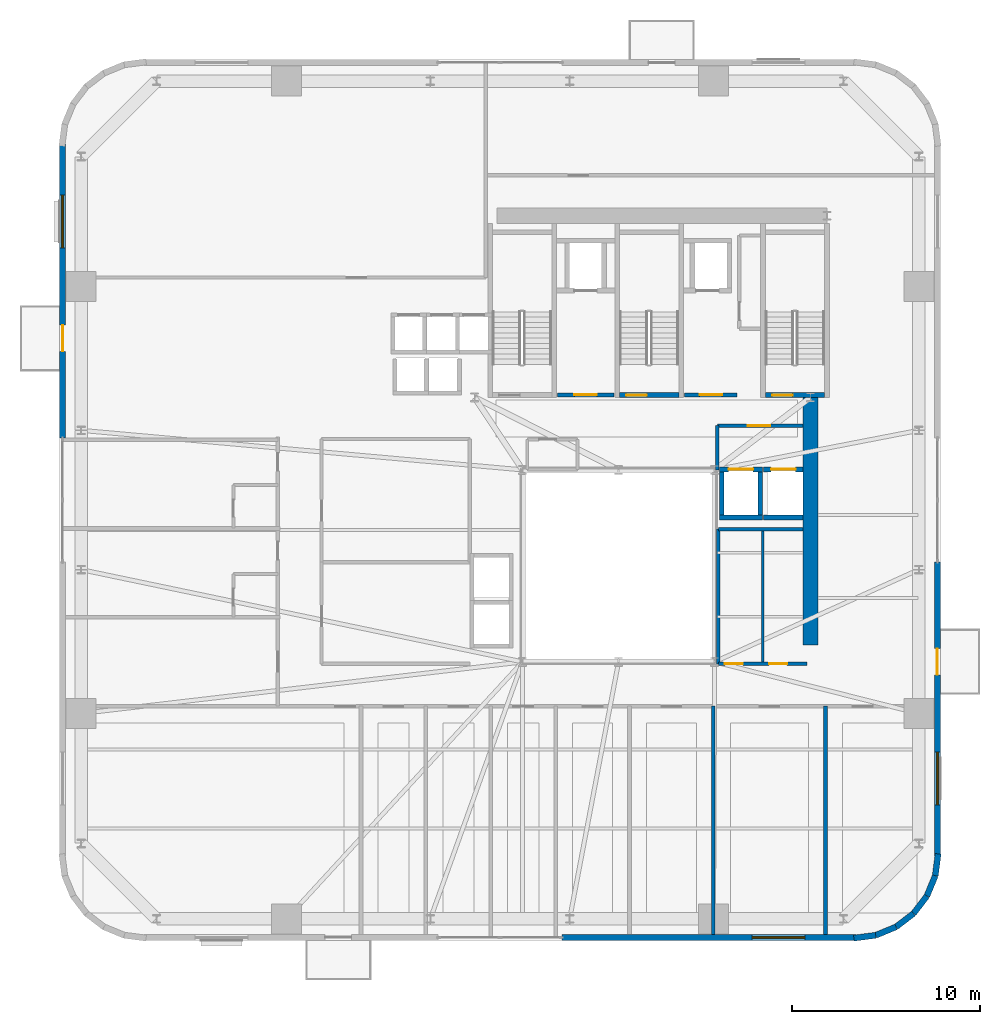
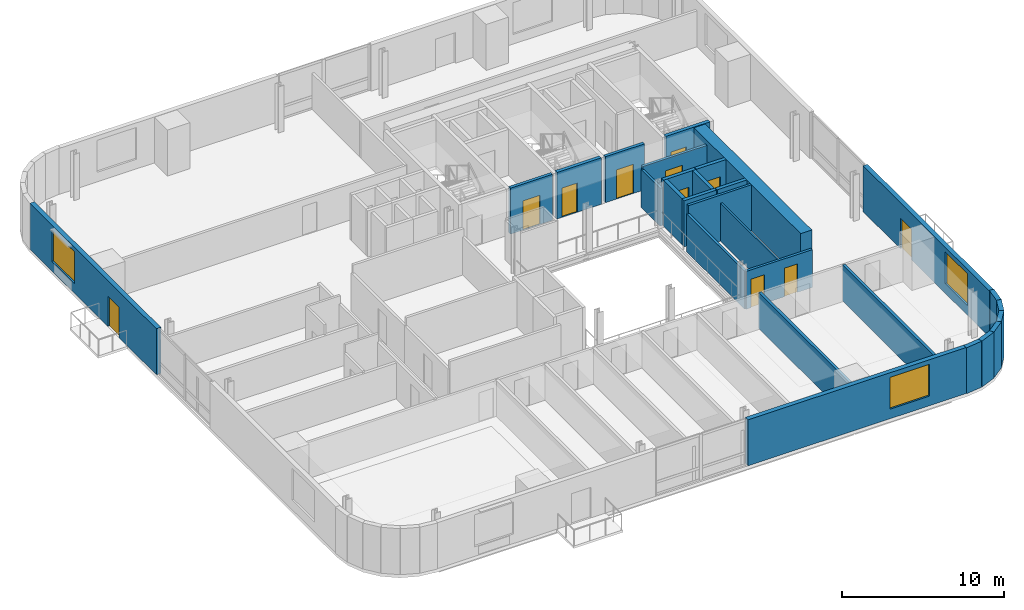
# One storey, part 7 of 14: 28 walls, 11 doors, 3 windows, 14 openings.
"""IFC4 building model written with IfcOpenShell, lengths in metres."""

import ifcopenshell
import ifcopenshell.guid

model = None  # the IFC model being written
_history = None  # IfcOwnerHistory: only IFC2X3 demands one
_inside = {}  # id of a spatial element -> (the spatial element, [elements in it])
_under = {}  # id of a project, library or spatial element -> (it, [spatial elements below it])
_declared = {}  # id of a project -> (the project, [libraries it declares])
_typed = {}  # id of a type object -> (the type object, [elements of that type])
_made_of = {}  # id of a material, layer set ... -> (it, [elements and type objects made of it])


def new_model(schema):
    """Start an empty IFC model of exactly this schema.

    Asked for "IFC4X3", IfcOpenShell would pick the latest addendum, in which some entities
    have other attributes; the version numbers below select the first issue.
    IFC2X3 requires an IfcOwnerHistory on every rooted entity: one is made here for all.
    """
    global model, _history
    if schema == "IFC4X3":
        model = ifcopenshell.file(schema_version=(4, 3, 0, 0))
    else:
        model = ifcopenshell.file(schema=schema)
    _inside.clear()
    _under.clear()
    _declared.clear()
    _typed.clear()
    _made_of.clear()
    _history = None
    if model.schema == "IFC2X3":
        org = make("IfcOrganization", Name="unknown")
        user = make(
            "IfcPersonAndOrganization",
            ThePerson=make("IfcPerson", FamilyName="unknown"),
            TheOrganization=org,
        )
        app = make(
            "IfcApplication",
            ApplicationDeveloper=org,
            Version="unknown",
            ApplicationFullName="unknown",
            ApplicationIdentifier="unknown",
        )
        _history = make(
            "IfcOwnerHistory",
            OwningUser=user,
            OwningApplication=app,
            ChangeAction="ADDED",
            CreationDate=0,
        )
    return model


def make(cls, **values):
    """One entity of the class cls with the attributes given. An attribute that is None is left unset."""
    return model.create_entity(
        cls, **{name: value for name, value in values.items() if value is not None}
    )


def rooted(cls, **values):
    """An entity with a GlobalId (a new one), such as an element, a storey or a relation."""
    return make(cls, GlobalId=ifcopenshell.guid.new(), OwnerHistory=_history, **values)


def si_unit(unit_type, name, prefix=None):
    """IfcSIUnit, for example si_unit("LENGTHUNIT", "METRE", prefix="MILLI")."""
    return make("IfcSIUnit", UnitType=unit_type, Prefix=prefix, Name=name)


def assignment(units):
    """IfcUnitAssignment: the units of a project."""
    return None if units is None else make("IfcUnitAssignment", Units=units)


def point(xyz):
    """IfcCartesianPoint."""
    return None if xyz is None else make("IfcCartesianPoint", Coordinates=xyz)


def direction(xyz):
    """IfcDirection."""
    return None if xyz is None else make("IfcDirection", DirectionRatios=xyz)


def frame(location, z_axis=None, x_axis=None):
    """IfcAxis2Placement3D, a coordinate frame: its origin and axes. An axis left out is left unset."""
    return make(
        "IfcAxis2Placement3D",
        Location=point(location),
        Axis=direction(z_axis),
        RefDirection=direction(x_axis),
    )


def frame_2d(location, x_axis=None):
    """IfcAxis2Placement2D, a coordinate frame in the plane: its origin and x axis."""
    return make(
        "IfcAxis2Placement2D", Location=point(location), RefDirection=direction(x_axis)
    )


def origin():
    """The frame at (0, 0, 0) with its axes left unset."""
    return frame((0.0, 0.0, 0.0))


def place(relative_to, where):
    """IfcLocalPlacement: puts the frame where relative to a parent placement (None: the world)."""
    return make(
        "IfcLocalPlacement", PlacementRelTo=relative_to, RelativePlacement=where
    )


def context(
    kind, dimensions, precision=None, world=None, true_north=None, identifier=None
):
    """IfcGeometricRepresentationContext, for example the 3D "Model" context."""
    return make(
        "IfcGeometricRepresentationContext",
        ContextIdentifier=identifier,
        ContextType=kind,
        CoordinateSpaceDimension=dimensions,
        Precision=precision,
        WorldCoordinateSystem=world,
        TrueNorth=true_north,
    )


def subcontext(parent, identifier, kind, view, scale=None):
    """IfcGeometricRepresentationSubContext, for example "Body" below "Model"."""
    return make(
        "IfcGeometricRepresentationSubContext",
        ContextIdentifier=identifier,
        ContextType=kind,
        ParentContext=parent,
        TargetScale=scale,
        TargetView=view,
    )


def project(units=None, contexts=None):
    """IfcProject with its units and contexts."""
    return rooted(
        "IfcProject",
        Name="project",
        RepresentationContexts=contexts,
        UnitsInContext=assignment(units),
    )


def spatial(cls, under=None, at=None, **own):
    """A site, building, storey or space (cls), placed at a placement, below another one or the project."""
    s = rooted(cls, ObjectPlacement=at, **own)
    if under is not None:
        _under.setdefault(under.id(), (under, []))[1].append(s)
    return s


def profile(cls, at=None, kind="AREA", **sizes):
    """A parametric profile (cls). Its sizes go by their IFC names, for example OverallWidth=200.0."""
    return make(cls, ProfileType=kind, Position=at, **sizes)


def rectangle(**sizes):
    """IfcRectangleProfileDef."""
    return profile("IfcRectangleProfileDef", **sizes)


def extrude(swept, where, along, depth):
    """IfcExtrudedAreaSolid: the profile swept, set in the frame where, extruded along a direction by depth."""
    return make(
        "IfcExtrudedAreaSolid",
        SweptArea=swept,
        Position=where,
        ExtrudedDirection=direction(along),
        Depth=depth,
    )


def shape(context_of_items, identifier, shape_type, items):
    """IfcShapeRepresentation: the items that make up one representation, for example the "Body"."""
    return make(
        "IfcShapeRepresentation",
        ContextOfItems=context_of_items,
        RepresentationIdentifier=identifier,
        RepresentationType=shape_type,
        Items=items,
    )


def source(mapping_origin, context_of_items, identifier, shape_type, items):
    """IfcRepresentationMap: a shape defined once, which mapped items show again and again."""
    return make(
        "IfcRepresentationMap",
        MappingOrigin=mapping_origin,
        MappedRepresentation=shape(context_of_items, identifier, shape_type, items),
    )


def transform(
    local_origin,
    x_axis=None,
    y_axis=None,
    z_axis=None,
    scale=None,
    scale2=None,
    scale3=None,
    uniform=True,
):
    """IfcCartesianTransformationOperator3D, or its non-uniform kind. x_axis, y_axis, z_axis: its Axis1, 2, 3."""
    if uniform:
        return make(
            "IfcCartesianTransformationOperator3D",
            Axis1=direction(x_axis),
            Axis2=direction(y_axis),
            LocalOrigin=point(local_origin),
            Scale=scale,
            Axis3=direction(z_axis),
        )
    return make(
        "IfcCartesianTransformationOperator3DnonUniform",
        Axis1=direction(x_axis),
        Axis2=direction(y_axis),
        LocalOrigin=point(local_origin),
        Scale=scale,
        Axis3=direction(z_axis),
        Scale2=scale2,
        Scale3=scale3,
    )


def mapped(mapping_source, mapping_target):
    """IfcMappedItem: shows the shape of a source again, moved by a transform."""
    return make(
        "IfcMappedItem", MappingSource=mapping_source, MappingTarget=mapping_target
    )


def material(Name=None, Category=None):
    """IfcMaterial."""
    return make("IfcMaterial", Name=Name, Category=Category)


def layer(
    of_material, thickness, ventilated=None, Name=None, Category=None, Priority=None
):
    """IfcMaterialLayer: one layer of a wall or slab, of a material (None: an air gap)."""
    return make(
        "IfcMaterialLayer",
        Material=of_material,
        LayerThickness=thickness,
        IsVentilated=ventilated,
        Name=Name,
        Category=Category,
        Priority=Priority,
    )


def layer_set(layers, Name=None):
    """IfcMaterialLayerSet."""
    return make("IfcMaterialLayerSet", MaterialLayers=layers, LayerSetName=Name)


def made_of(thing, what):
    """Note that an element or type object is made of a material, layer set ...; save() writes the relation."""
    if what is not None:
        _made_of.setdefault(what.id(), (what, []))[1].append(thing)
    return thing


def type_object(cls, material=None, **own):
    """A type object (cls), such as IfcWallType, which elements share."""
    return made_of(rooted(cls, **own), material)


def element(
    cls,
    number,
    at=None,
    inside=None,
    cuts=None,
    type_object=None,
    material=None,
    context=None,
    identifier="Body",
    shape_type=None,
    held_by="IfcProductDefinitionShape",
    body=None,
    shapes=None,
    **own,
):
    """One element of the class cls, such as IfcWall. Its Tag is "e" and its number.

    at: its placement. inside: the storey or other place that contains it. cuts: it is an
    opening in that element (IfcRelVoidsElement). A single representation is given by context,
    identifier, shape_type and body (its items); several are given by shapes. held_by: the class
    of the entity that holds the representations. save() writes the other relations.
    """
    e = rooted(cls, Tag="e%d" % number, ObjectPlacement=at, **own)
    if body is not None:
        shapes = [shape(context, identifier, shape_type, body)]
    if shapes is not None:
        e.Representation = make(held_by, Representations=shapes)
    if inside is not None:
        _inside.setdefault(inside.id(), (inside, []))[1].append(e)
    if cuts is not None:
        rooted(
            "IfcRelVoidsElement", RelatingBuildingElement=cuts, RelatedOpeningElement=e
        )
    if type_object is not None:
        _typed.setdefault(type_object.id(), (type_object, []))[1].append(e)
    return made_of(e, material)


def fill(opening, filler):
    """IfcRelFillsElement: the door or window that sits in an opening."""
    return rooted(
        "IfcRelFillsElement",
        RelatingOpeningElement=opening,
        RelatedBuildingElement=filler,
    )


def aggregate(whole, parts):
    """IfcRelAggregates: a whole, such as a stair, and the parts it consists of."""
    return rooted("IfcRelAggregates", RelatingObject=whole, RelatedObjects=parts)


def save(model, path):
    """Write the relations noted so far, then the file.

    IfcRelAggregates (storeys below a building ...), IfcRelContainedInSpatialStructure (elements
    in a storey), IfcRelDefinesByType, IfcRelAssociatesMaterial and IfcRelDeclares: one each for
    every whole, place, type object, material and project.
    """
    for whole, parts in _under.values():
        aggregate(whole, parts)
    for where, things in _inside.values():
        rooted(
            "IfcRelContainedInSpatialStructure",
            RelatedElements=things,
            RelatingStructure=where,
        )
    for kind, things in _typed.values():
        rooted("IfcRelDefinesByType", RelatedObjects=things, RelatingType=kind)
    for what, things in _made_of.values():
        rooted("IfcRelAssociatesMaterial", RelatedObjects=things, RelatingMaterial=what)
    for by, libraries in _declared.values():
        rooted("IfcRelDeclares", RelatingContext=by, RelatedDefinitions=libraries)
    model.write(path)


model = new_model("IFC4")

# Units and contexts
model_context = context("Model", 3, precision=1e-05, world=origin(), true_north=direction((0.0, 1.0)))
body_context = subcontext(model_context, "Body", "Model", "MODEL_VIEW")
ifc_project = project(units=[si_unit("LENGTHUNIT", "METRE"), si_unit("AREAUNIT", "SQUARE_METRE"), si_unit("VOLUMEUNIT", "CUBIC_METRE"), si_unit("PLANEANGLEUNIT", "RADIAN"), si_unit("MASSUNIT", "GRAM", prefix="KILO")], contexts=[model_context])

# Site, building, storey
site_placement = place(None, origin())
site = spatial("IfcSite", under=ifc_project, at=site_placement, CompositionType="ELEMENT")
building_placement = place(site_placement, origin())
building = spatial("IfcBuilding", under=site, at=building_placement, Name="Vardaveli Station Tower", CompositionType="ELEMENT")
storey_placement = place(building_placement, frame((0.0, 0.0, 133.5)))
storey = spatial("IfcBuildingStorey", under=building, at=storey_placement, Name="L34", CompositionType="ELEMENT", Elevation=133.5)

# Wall
ifc_material_1 = material(Name="Concrete C50/60", Category="concrete")
ifc_layer_1 = layer(ifc_material_1, 0.800048828125, Name="Concrete C50/60")
ifc_layer_set_1 = layer_set([ifc_layer_1], Name="Concrete C50/60")
wall_type_1 = type_object("IfcWallType", Name="WAL-CORE-800", PredefinedType="SHEAR", material=ifc_layer_set_1)
shared_shape_1 = source(origin(), body_context, "Body", "SweptSolid", [
    extrude(rectangle(XDim=13.14990234375, YDim=0.800048828125, at=frame_2d((6.574951171875, 0.0))), origin(), (0.0, 0.0, 1.0), 3.4599609375),
])
wall_1_placement = place(storey_placement, frame((46.5, 17.5, 0.0), z_axis=(0.0, 0.0, 1.0), x_axis=(0.0, 1.0, 0.0)))
element("IfcWall", 1, at=wall_1_placement, inside=storey, type_object=wall_type_1, Name="SW-L34-EAST2", PredefinedType="SHEAR", context=body_context, shape_type="MappedRepresentation", body=[
    mapped(shared_shape_1, transform((0.0, 0.0, 0.0), scale=1.0)),
])

# Wall, opening, window
ifc_material_2 = material(Name="Precast concrete C45/55", Category="concrete")
ifc_layer_2 = layer(ifc_material_2, 0.320068359375, Name="Precast concrete C45/55")
ifc_layer_set_2 = layer_set([ifc_layer_2], Name="Precast concrete C45/55")
wall_type_2 = type_object("IfcWallType", Name="WAL-EXT-STONE-320", PredefinedType="SOLIDWALL", material=ifc_layer_set_2)
shared_shape_2 = source(origin(), body_context, "Body", "SweptSolid", [
    extrude(rectangle(XDim=15.599853515625, YDim=0.320068359375, at=frame_2d((7.7998046875, 0.0))), origin(), (0.0, 0.0, 1.0), 3.4599609375),
])
wall_2_placement = place(storey_placement, frame((33.300048828125, 1.9599609375, 0.0), z_axis=(0.0, 0.0, 1.0), x_axis=(1.0, 0.0, 0.0)))
wall_2 = element("IfcWall", 2, at=wall_2_placement, inside=storey, type_object=wall_type_2, Name="EW-L34-S2", PredefinedType="SOLIDWALL", context=body_context, shape_type="MappedRepresentation", body=[
    mapped(shared_shape_2, transform((0.0, 0.0, 0.0), scale=1.0)),
])
shared_shape_3 = source(origin(), body_context, "Body", "SweptSolid", [
    extrude(rectangle(XDim=2.800048828125, YDim=2.39990234375, at=frame_2d((1.39990234375, 1.199951171875))), frame((0.0, 0.169921875, 0.0), z_axis=(0.0, -1.0, 0.0), x_axis=(1.0, 0.0, 0.0)), (0.0, 0.0, 1.0), 0.340087890625),
])
opening_1_placement = place(wall_2_placement, frame((10.094970703125, 0.0, 0.719970703125)))
opening_1 = element("IfcOpeningElement", 3, at=opening_1_placement, cuts=wall_2, Name="Opening W-04", PredefinedType="OPENING", context=body_context, shape_type="MappedRepresentation", body=[
    mapped(shared_shape_3, transform((0.0, 0.0, 0.0), scale=1.0)),
])
ifc_material_3 = material(Name="Low-E solar-control glass", Category="glass")
window_type = type_object("IfcWindowType", Name="WIN-SUITE-2800x2400", PartitioningType="SINGLE_PANEL", PredefinedType="WINDOW", material=ifc_material_3)
shared_shape_4 = source(origin(), body_context, "Body", "SweptSolid", [
    extrude(rectangle(XDim=2.800048828125, YDim=2.39990234375, at=frame_2d((1.39990234375, 1.199951171875))), frame((0.0, 0.030029296875, 0.0), z_axis=(0.0, -1.0, 0.0), x_axis=(1.0, 0.0, 0.0)), (0.0, 0.0, 1.0), 0.06005859375),
])
window_1_placement = place(opening_1_placement, origin())
window_1 = element("IfcWindow", 4, at=window_1_placement, inside=storey, type_object=window_type, Name="WN-L34-S2", OverallHeight=2.39990234375, OverallWidth=2.800048828125, PartitioningType="SINGLE_PANEL", PredefinedType="WINDOW", context=body_context, shape_type="MappedRepresentation", body=[
    mapped(shared_shape_4, transform((0.0, 0.0, 0.0), scale=1.0)),
])
fill(opening_1, window_1)

# Wall, openings, door, window
wall_3_placement = place(storey_placement, frame((53.239990234375, 6.300048828125, 0.0), z_axis=(0.0, 0.0, 1.0), x_axis=(0.0, 1.0, 0.0)))
wall_3 = element("IfcWall", 5, at=wall_3_placement, inside=storey, type_object=wall_type_2, Name="EW-L34-E1", PredefinedType="SOLIDWALL", context=body_context, shape_type="MappedRepresentation", body=[
    mapped(shared_shape_2, transform((0.0, 0.0, 0.0), scale=1.0)),
])
shared_shape_5 = source(origin(), body_context, "Body", "SweptSolid", [
    extrude(rectangle(XDim=1.39990234375, YDim=2.300048828125, at=frame_2d((0.699951171875, 1.14990234375))), frame((0.0, 0.169921875, 0.0), z_axis=(0.0, -1.0, 0.0), x_axis=(1.0, 0.0, 0.0)), (0.0, 0.0, 1.0), 0.340087890625),
])
opening_2_placement = place(wall_3_placement, frame((9.6103515625, 0.0, 0.0)))
opening_2 = element("IfcOpeningElement", 6, at=opening_2_placement, cuts=wall_3, Name="Opening D-09", PredefinedType="OPENING", context=body_context, shape_type="MappedRepresentation", body=[
    mapped(shared_shape_5, transform((0.0, 0.0, 0.0), scale=1.0)),
])
opening_3_placement = place(wall_3_placement, frame((2.705078125, 0.0, 0.719970703125)))
opening_3 = element("IfcOpeningElement", 7, at=opening_3_placement, cuts=wall_3, Name="Opening W-04", PredefinedType="OPENING", context=body_context, shape_type="MappedRepresentation", body=[
    mapped(shared_shape_3, transform((0.0, 0.0, 0.0), scale=1.0)),
])
ifc_material_4 = material(Name="Thermally broken aluminium glass", Category="aluminium")
door_type_1 = type_object("IfcDoorType", Name="DR-LOG-1400x2300", OperationType="DOUBLE_DOOR_SLIDING", PredefinedType="DOOR", material=ifc_material_4)
shared_shape_6 = source(origin(), body_context, "Body", "SweptSolid", [
    extrude(rectangle(XDim=1.39990234375, YDim=2.300048828125, at=frame_2d((0.699951171875, 1.14990234375))), frame((0.0, 0.02490234375, 0.0), z_axis=(0.0, -1.0, 0.0), x_axis=(1.0, 0.0, 0.0)), (0.0, 0.0, 1.0), 0.050048828125),
])
door_1_placement = place(opening_2_placement, frame((1.39990234375, 0.0, 0.0), z_axis=(0.0, 0.0, 1.0), x_axis=(-1.0, 0.0, 0.0)))
door_1 = element("IfcDoor", 8, at=door_1_placement, inside=storey, type_object=door_type_1, Name="DLG-L34-E", OperationType="DOUBLE_DOOR_SLIDING", OverallHeight=2.300048828125, OverallWidth=1.39990234375, PredefinedType="DOOR", context=body_context, shape_type="MappedRepresentation", body=[
    mapped(shared_shape_6, transform((0.0, 0.0, 0.0), scale=1.0)),
])
fill(opening_2, door_1)
window_2_placement = place(opening_3_placement, origin())
window_2 = element("IfcWindow", 9, at=window_2_placement, inside=storey, type_object=window_type, Name="WN-L34-E1", OverallHeight=2.39990234375, OverallWidth=2.800048828125, PartitioningType="SINGLE_PANEL", PredefinedType="WINDOW", context=body_context, shape_type="MappedRepresentation", body=[
    mapped(shared_shape_4, transform((0.0, 0.0, 0.0), scale=1.0)),
])
fill(opening_3, window_2)

shared_shape_7 = source(origin(), body_context, "Body", "SweptSolid", [
    extrude(rectangle(XDim=15.60009765625, YDim=0.320068359375, at=frame_2d((7.800048828125, 0.0))), origin(), (0.0, 0.0, 1.0), 3.4599609375),
])
wall_4_placement = place(storey_placement, frame((6.760009765625, 44.10009765625, 0.0), z_axis=(0.0, 0.0, 1.0), x_axis=(0.0, -1.0, 0.0)))
wall_4 = element("IfcWall", 10, at=wall_4_placement, inside=storey, type_object=wall_type_2, Name="EW-L34-W1", PredefinedType="SOLIDWALL", context=body_context, shape_type="MappedRepresentation", body=[
    mapped(shared_shape_7, transform((0.0, 0.0, 0.0), scale=1.0)),
])
opening_4_placement = place(wall_4_placement, frame((9.6103515625, 0.0, 0.0)))
opening_4 = element("IfcOpeningElement", 11, at=opening_4_placement, cuts=wall_4, Name="Opening D-09", PredefinedType="OPENING", context=body_context, shape_type="MappedRepresentation", body=[
    mapped(shared_shape_5, transform((0.0, 0.0, 0.0), scale=1.0)),
])
opening_5_placement = place(wall_4_placement, frame((2.705078125, 0.0, 0.719970703125)))
opening_5 = element("IfcOpeningElement", 12, at=opening_5_placement, cuts=wall_4, Name="Opening W-04", PredefinedType="OPENING", context=body_context, shape_type="MappedRepresentation", body=[
    mapped(shared_shape_3, transform((0.0, 0.0, 0.0), scale=1.0)),
])
door_2_placement = place(opening_4_placement, frame((1.39990234375, 0.0, 0.0), z_axis=(0.0, 0.0, 1.0), x_axis=(-1.0, 0.0, 0.0)))
door_2 = element("IfcDoor", 13, at=door_2_placement, inside=storey, type_object=door_type_1, Name="DLG-L34-W", OperationType="DOUBLE_DOOR_SLIDING", OverallHeight=2.300048828125, OverallWidth=1.39990234375, PredefinedType="DOOR", context=body_context, shape_type="MappedRepresentation", body=[
    mapped(shared_shape_6, transform((0.0, 0.0, 0.0), scale=1.0)),
])
fill(opening_4, door_2)
window_3_placement = place(opening_5_placement, origin())
window_3 = element("IfcWindow", 14, at=window_3_placement, inside=storey, type_object=window_type, Name="WN-L34-W1", OverallHeight=2.39990234375, OverallWidth=2.800048828125, PartitioningType="SINGLE_PANEL", PredefinedType="WINDOW", context=body_context, shape_type="MappedRepresentation", body=[
    mapped(shared_shape_4, transform((0.0, 0.0, 0.0), scale=1.0)),
])
fill(opening_5, window_3)

# Walls
shared_shape_8 = source(origin(), body_context, "Body", "SweptSolid", [
    extrude(rectangle(XDim=1.170654296875, YDim=0.320068359375, at=frame_2d((0.58544921875, 0.0))), origin(), (0.0, 0.0, 1.0), 3.4599609375),
])
wall_5_placement = place(storey_placement, frame((53.12548828125, 5.23974609375, 0.0), z_axis=(0.0, 0.0, 1.0), x_axis=(0.128269133229, 0.991739395941, 0.0)))
element("IfcWall", 15, at=wall_5_placement, inside=storey, type_object=wall_type_2, Name="EW-L34-CR2-6", PredefinedType="SOLIDWALL", context=body_context, shape_type="MappedRepresentation", body=[
    mapped(shared_shape_8, transform((0.0, 0.0, 0.0), scale=1.0)),
])
shared_shape_9 = source(origin(), body_context, "Body", "SweptSolid", [
    extrude(rectangle(XDim=1.1689453125, YDim=0.320068359375, at=frame_2d((0.58447265625, 0.0))), origin(), (0.0, 0.0, 1.0), 3.4599609375),
])
for number, where, z_axis, x_axis, name in (
    (16, (51.96875, 3.231201171875, 0.0), (0.0, 0.0, 1.0), (0.608387696831, 0.793639975269, 0.0), "EW-L34-CR2-4"),
    (17, (52.679931640625, 4.158935546875, 0.0), (0.0, 0.0, 1.0), (0.381127904695, 0.924522320046, 0.0), "EW-L34-CR2-5"),
):
    element("IfcWall", number, at=place(storey_placement, frame(where, z_axis=z_axis, x_axis=x_axis)), inside=storey, type_object=wall_type_2, Name=name, PredefinedType="SOLIDWALL", context=body_context, shape_type="MappedRepresentation", body=[
        mapped(shared_shape_9, transform((0.0, 0.0, 0.0), scale=1.0)),
    ])
shared_shape_10 = source(origin(), body_context, "Body", "SweptSolid", [
    extrude(rectangle(XDim=1.168701171875, YDim=0.320068359375, at=frame_2d((0.58447265625, 0.0))), origin(), (0.0, 0.0, 1.0), 3.4599609375),
])
wall_6_placement = place(storey_placement, frame((51.041259765625, 2.520263671875, 0.0), z_axis=(0.0, 0.0, 1.0), x_axis=(0.793663520347, 0.608356981114, 0.0)))
element("IfcWall", 18, at=wall_6_placement, inside=storey, type_object=wall_type_2, Name="EW-L34-CR2-3", PredefinedType="SOLIDWALL", context=body_context, shape_type="MappedRepresentation", body=[
    mapped(shared_shape_10, transform((0.0, 0.0, 0.0), scale=1.0)),
])
shared_shape_11 = source(origin(), body_context, "Body", "SweptSolid", [
    extrude(rectangle(XDim=1.16943359375, YDim=0.320068359375, at=frame_2d((0.584716796875, 0.0))), origin(), (0.0, 0.0, 1.0), 3.4599609375),
])
wall_7_placement = place(storey_placement, frame((49.960205078125, 2.074462890625, 0.0), z_axis=(0.0, 0.0, 1.0), x_axis=(0.924479075121, 0.381232789334, 0.0)))
element("IfcWall", 19, at=wall_7_placement, inside=storey, type_object=wall_type_2, Name="EW-L34-CR2-2", PredefinedType="SOLIDWALL", context=body_context, shape_type="MappedRepresentation", body=[
    mapped(shared_shape_11, transform((0.0, 0.0, 0.0), scale=1.0)),
])
shared_shape_12 = source(origin(), body_context, "Body", "SweptSolid", [
    extrude(rectangle(XDim=1.170166015625, YDim=0.320068359375, at=frame_2d((0.5849609375, 0.0))), origin(), (0.0, 0.0, 1.0), 3.4599609375),
])
wall_8_placement = place(storey_placement, frame((48.799560546875, 1.924560546875, 0.0), z_axis=(0.0, 0.0, 1.0), x_axis=(0.991762485493, 0.128090485085, 0.0)))
element("IfcWall", 20, at=wall_8_placement, inside=storey, type_object=wall_type_2, Name="EW-L34-CR2-1", PredefinedType="SOLIDWALL", context=body_context, shape_type="MappedRepresentation", body=[
    mapped(shared_shape_12, transform((0.0, 0.0, 0.0), scale=1.0)),
])

# Wall, opening, door
ifc_material_5 = material(Name="Concrete C40/50", Category="concrete")
ifc_layer_3 = layer(ifc_material_5, 0.25, Name="Concrete C40/50")
ifc_layer_set_3 = layer_set([ifc_layer_3], Name="Concrete C40/50")
wall_type_3 = type_object("IfcWallType", Name="WAL-SHAFT-250", PredefinedType="SOLIDWALL", material=ifc_layer_set_3)
shared_shape_13 = source(origin(), body_context, "Body", "SweptSolid", [
    extrude(rectangle(XDim=3.14990234375, YDim=0.25, at=frame_2d((1.574951171875, 0.0))), origin(), (0.0, 0.0, 1.0), 3.5),
])
wall_9_placement = place(storey_placement, frame((36.35009765625, 30.77490234375, 0.0), z_axis=(0.0, 0.0, 1.0), x_axis=(1.0, 0.0, 0.0)))
wall_9 = element("IfcWall", 21, at=wall_9_placement, inside=storey, type_object=wall_type_3, Name="W-L34-ST-2S", PredefinedType="SOLIDWALL", context=body_context, shape_type="MappedRepresentation", body=[
    mapped(shared_shape_13, transform((0.0, 0.0, 0.0), scale=1.0)),
])
shared_shape_14 = source(origin(), body_context, "Body", "SweptSolid", [
    extrude(rectangle(XDim=1.10009765625, YDim=2.199951171875, at=frame_2d((0.550048828125, 1.10009765625))), frame((0.0, 0.135009765625, 0.0), z_axis=(0.0, -1.0, 0.0), x_axis=(1.0, 0.0, 0.0)), (0.0, 0.0, 1.0), 0.27001953125),
])
opening_6_placement = place(wall_9_placement, frame((0.35009765625, 0.0, 0.0)))
opening_6 = element("IfcOpeningElement", 22, at=opening_6_placement, cuts=wall_9, Name="Opening D-04", PredefinedType="OPENING", context=body_context, shape_type="MappedRepresentation", body=[
    mapped(shared_shape_14, transform((0.0, 0.0, 0.0), scale=1.0)),
])
ifc_material_6 = material(Name="Steel smokeproof fire doorset", Category="steel")
door_type_2 = type_object("IfcDoorType", Name="DR-ST-1100x2200", OperationType="NOTDEFINED", PredefinedType="DOOR", material=ifc_material_6)
shared_shape_15 = source(origin(), body_context, "Body", "SweptSolid", [
    extrude(rectangle(XDim=1.10009765625, YDim=2.199951171875, at=frame_2d((0.550048828125, 1.10009765625))), frame((0.0, 0.02490234375, 0.0), z_axis=(0.0, -1.0, 0.0), x_axis=(1.0, 0.0, 0.0)), (0.0, 0.0, 1.0), 0.050048828125),
])
door_3_placement = place(opening_6_placement, origin())
door_3 = element("IfcDoor", 23, at=door_3_placement, inside=storey, type_object=door_type_2, Name="DST-2-L34", OperationType="SINGLE_SWING_LEFT", OverallHeight=2.199951171875, OverallWidth=1.10009765625, PredefinedType="DOOR", context=body_context, shape_type="MappedRepresentation", body=[
    mapped(shared_shape_15, transform((0.0, 0.0, 0.0), scale=1.0)),
])
fill(opening_6, door_3)

wall_10_placement = place(storey_placement, frame((44.10009765625, 30.77490234375, 0.0), z_axis=(0.0, 0.0, 1.0), x_axis=(1.0, 0.0, 0.0)))
wall_10 = element("IfcWall", 24, at=wall_10_placement, inside=storey, type_object=wall_type_3, Name="W-L34-ST-3S", PredefinedType="SOLIDWALL", context=body_context, shape_type="MappedRepresentation", body=[
    mapped(shared_shape_13, transform((0.0, 0.0, 0.0), scale=1.0)),
])
opening_7_placement = place(wall_10_placement, frame((0.35009765625, 0.0, 0.0)))
opening_7 = element("IfcOpeningElement", 25, at=opening_7_placement, cuts=wall_10, Name="Opening D-04", PredefinedType="OPENING", context=body_context, shape_type="MappedRepresentation", body=[
    mapped(shared_shape_14, transform((0.0, 0.0, 0.0), scale=1.0)),
])
door_4_placement = place(opening_7_placement, origin())
door_4 = element("IfcDoor", 26, at=door_4_placement, inside=storey, type_object=door_type_2, Name="DST-3-L34", OperationType="SINGLE_SWING_LEFT", OverallHeight=2.199951171875, OverallWidth=1.10009765625, PredefinedType="DOOR", context=body_context, shape_type="MappedRepresentation", body=[
    mapped(shared_shape_15, transform((0.0, 0.0, 0.0), scale=1.0)),
])
fill(opening_7, door_4)

ifc_layer_4 = layer(ifc_material_5, 0.219970703125, Name="Concrete C40/50")
ifc_layer_set_4 = layer_set([ifc_layer_4], Name="Concrete C40/50")
wall_type_4 = type_object("IfcWallType", Name="WAL-FFLOBBY-220", PredefinedType="SOLIDWALL", material=ifc_layer_set_4)
shared_shape_16 = source(origin(), body_context, "Body", "SweptSolid", [
    extrude(rectangle(XDim=3.0, YDim=0.219970703125, at=frame_2d((1.5, 0.0))), origin(), (0.0, 0.0, 1.0), 3.4599609375),
])
wall_11_placement = place(storey_placement, frame((33.050048828125, 30.780029296875, 0.0), z_axis=(0.0, 0.0, 1.0), x_axis=(1.0, 0.0, 0.0)))
wall_11 = element("IfcWall", 27, at=wall_11_placement, inside=storey, type_object=wall_type_4, Name="W-L34-FFL1S", PredefinedType="SOLIDWALL", context=body_context, shape_type="MappedRepresentation", body=[
    mapped(shared_shape_16, transform((0.0, 0.0, 0.0), scale=1.0)),
])
shared_shape_17 = source(origin(), body_context, "Body", "SweptSolid", [
    extrude(rectangle(XDim=1.199951171875, YDim=2.199951171875, at=frame_2d((0.60009765625, 1.10009765625))), frame((0.0, 0.1201171875, 0.0), z_axis=(0.0, -1.0, 0.0), x_axis=(1.0, 0.0, 0.0)), (0.0, 0.0, 1.0), 0.239990234375),
])
opening_8_placement = place(wall_11_placement, frame((0.89990234375, 0.0, 0.0)))
opening_8 = element("IfcOpeningElement", 28, at=opening_8_placement, cuts=wall_11, Name="Opening D-03", PredefinedType="OPENING", context=body_context, shape_type="MappedRepresentation", body=[
    mapped(shared_shape_17, transform((0.0, 0.0, 0.0), scale=1.0)),
])
door_type_3 = type_object("IfcDoorType", Name="DR-FFL-1200x2200", OperationType="NOTDEFINED", PredefinedType="DOOR", material=ifc_material_6)
shared_shape_18 = source(origin(), body_context, "Body", "SweptSolid", [
    extrude(rectangle(XDim=1.199951171875, YDim=2.199951171875, at=frame_2d((0.60009765625, 1.10009765625))), frame((0.0, 0.02490234375, 0.0), z_axis=(0.0, -1.0, 0.0), x_axis=(1.0, 0.0, 0.0)), (0.0, 0.0, 1.0), 0.050048828125),
])
door_5_placement = place(opening_8_placement, origin())
door_5 = element("IfcDoor", 29, at=door_5_placement, inside=storey, type_object=door_type_3, Name="DFFL1-L34", OperationType="SINGLE_SWING_LEFT", OverallHeight=2.199951171875, OverallWidth=1.199951171875, PredefinedType="DOOR", context=body_context, shape_type="MappedRepresentation", body=[
    mapped(shared_shape_18, transform((0.0, 0.0, 0.0), scale=1.0)),
])
fill(opening_8, door_5)

shared_shape_19 = source(origin(), body_context, "Body", "SweptSolid", [
    extrude(rectangle(XDim=2.800048828125, YDim=0.219970703125, at=frame_2d((1.39990234375, 0.0))), origin(), (0.0, 0.0, 1.0), 3.4599609375),
])
wall_12_placement = place(storey_placement, frame((39.800048828125, 30.780029296875, 0.0), z_axis=(0.0, 0.0, 1.0), x_axis=(1.0, 0.0, 0.0)))
wall_12 = element("IfcWall", 30, at=wall_12_placement, inside=storey, type_object=wall_type_4, Name="W-L34-FFL2S", PredefinedType="SOLIDWALL", context=body_context, shape_type="MappedRepresentation", body=[
    mapped(shared_shape_19, transform((0.0, 0.0, 0.0), scale=1.0)),
])
opening_9_placement = place(wall_12_placement, frame((0.800048828125, 0.0, 0.0)))
opening_9 = element("IfcOpeningElement", 31, at=opening_9_placement, cuts=wall_12, Name="Opening D-03", PredefinedType="OPENING", context=body_context, shape_type="MappedRepresentation", body=[
    mapped(shared_shape_17, transform((0.0, 0.0, 0.0), scale=1.0)),
])
door_6_placement = place(opening_9_placement, origin())
door_6 = element("IfcDoor", 32, at=door_6_placement, inside=storey, type_object=door_type_3, Name="DFFL2-L34", OperationType="SINGLE_SWING_RIGHT", OverallHeight=2.199951171875, OverallWidth=1.199951171875, PredefinedType="DOOR", context=body_context, shape_type="MappedRepresentation", body=[
    mapped(shared_shape_18, transform((0.0, 0.0, 0.0), scale=1.0)),
])
fill(opening_9, door_6)

# Wall
shared_shape_20 = source(origin(), body_context, "Body", "SweptSolid", [
    extrude(rectangle(XDim=2.300048828125, YDim=0.25, at=frame_2d((1.14990234375, 0.0))), origin(), (0.0, 0.0, 1.0), 3.4599609375),
])
wall_13_placement = place(storey_placement, frame((41.64990234375, 24.27490234375, 0.0), z_axis=(0.0, 0.0, 1.0), x_axis=(1.0, 0.0, 0.0)))
element("IfcWall", 33, at=wall_13_placement, inside=storey, type_object=wall_type_3, Name="SHW-SRV-01-L34-S", PredefinedType="SOLIDWALL", context=body_context, shape_type="MappedRepresentation", body=[
    mapped(shared_shape_20, transform((0.0, 0.0, 0.0), scale=1.0)),
])

# Wall, opening, door
wall_14_placement = place(storey_placement, frame((41.64990234375, 26.824951171875, 0.0), z_axis=(0.0, 0.0, 1.0), x_axis=(1.0, 0.0, 0.0)))
wall_14 = element("IfcWall", 34, at=wall_14_placement, inside=storey, type_object=wall_type_3, Name="SHW-SRV-01-L34-N", PredefinedType="SOLIDWALL", context=body_context, shape_type="MappedRepresentation", body=[
    mapped(shared_shape_20, transform((0.0, 0.0, 0.0), scale=1.0)),
])
shared_shape_21 = source(origin(), body_context, "Body", "SweptSolid", [
    extrude(rectangle(XDim=1.300048828125, YDim=2.300048828125, at=frame_2d((0.64990234375, 1.14990234375))), frame((0.0, 0.135009765625, 0.0), z_axis=(0.0, -1.0, 0.0), x_axis=(1.0, 0.0, 0.0)), (0.0, 0.0, 1.0), 0.27001953125),
])
opening_10_placement = place(wall_14_placement, frame((0.5, 0.0, 0.0)))
opening_10 = element("IfcOpeningElement", 35, at=opening_10_placement, cuts=wall_14, Name="Opening LD-03", PredefinedType="OPENING", context=body_context, shape_type="MappedRepresentation", body=[
    mapped(shared_shape_21, transform((0.0, 0.0, 0.0), scale=1.0)),
])
ifc_material_7 = material(Name="Brushed stainless steel", Category="steel")
door_type_4 = type_object("IfcDoorType", Name="DR-LD-1300x2300", OperationType="DOUBLE_DOOR_SLIDING", PredefinedType="DOOR", material=ifc_material_7)
shared_shape_22 = source(origin(), body_context, "Body", "SweptSolid", [
    extrude(rectangle(XDim=1.300048828125, YDim=2.300048828125, at=frame_2d((0.64990234375, 1.14990234375))), frame((0.0, 0.02490234375, 0.0), z_axis=(0.0, -1.0, 0.0), x_axis=(1.0, 0.0, 0.0)), (0.0, 0.0, 1.0), 0.050048828125),
])
door_7_placement = place(opening_10_placement, origin())
door_7 = element("IfcDoor", 36, at=door_7_placement, inside=storey, type_object=door_type_4, Name="LD-SRV-01-L34", OperationType="DOUBLE_DOOR_SLIDING", OverallHeight=2.300048828125, OverallWidth=1.300048828125, PredefinedType="DOOR", context=body_context, shape_type="MappedRepresentation", body=[
    mapped(shared_shape_22, transform((0.0, 0.0, 0.0), scale=1.0)),
])
fill(opening_10, door_7)

# Walls
for number, where, z_axis, x_axis, name in (
    (37, (41.77490234375, 24.39990234375, 0.0), (0.0, 0.0, 1.0), (0.0, 1.0, 0.0), "SHW-SRV-01-L34-W"),
    (38, (43.824951171875, 24.39990234375, 0.0), (0.0, 0.0, 1.0), (0.0, 1.0, 0.0), "SHW-SRV-01-L34-E"),
):
    element("IfcWall", number, at=place(storey_placement, frame(where, z_axis=z_axis, x_axis=x_axis)), inside=storey, type_object=wall_type_3, Name=name, PredefinedType="SOLIDWALL", context=body_context, shape_type="MappedRepresentation", body=[
        mapped(shared_shape_20, transform((0.0, 0.0, 0.0), scale=1.0)),
    ])
shared_shape_23 = source(origin(), body_context, "Body", "SweptSolid", [
    extrude(rectangle(XDim=2.10009765625, YDim=0.25, at=frame_2d((1.050048828125, 0.0))), origin(), (0.0, 0.0, 1.0), 3.4599609375),
])
wall_15_placement = place(storey_placement, frame((44.0, 24.27490234375, 0.0), z_axis=(0.0, 0.0, 1.0), x_axis=(1.0, 0.0, 0.0)))
element("IfcWall", 39, at=wall_15_placement, inside=storey, type_object=wall_type_3, Name="SHW-SRV-02-L34-S", PredefinedType="SOLIDWALL", context=body_context, shape_type="MappedRepresentation", body=[
    mapped(shared_shape_23, transform((0.0, 0.0, 0.0), scale=1.0)),
])

# Wall, opening, door
wall_16_placement = place(storey_placement, frame((44.0, 26.824951171875, 0.0), z_axis=(0.0, 0.0, 1.0), x_axis=(1.0, 0.0, 0.0)))
wall_16 = element("IfcWall", 40, at=wall_16_placement, inside=storey, type_object=wall_type_3, Name="SHW-SRV-02-L34-N", PredefinedType="SOLIDWALL", context=body_context, shape_type="MappedRepresentation", body=[
    mapped(shared_shape_23, transform((0.0, 0.0, 0.0), scale=1.0)),
])
opening_11_placement = place(wall_16_placement, frame((0.39990234375, 0.0, 0.0)))
opening_11 = element("IfcOpeningElement", 41, at=opening_11_placement, cuts=wall_16, Name="Opening LD-03", PredefinedType="OPENING", context=body_context, shape_type="MappedRepresentation", body=[
    mapped(shared_shape_21, transform((0.0, 0.0, 0.0), scale=1.0)),
])
door_8_placement = place(opening_11_placement, origin())
door_8 = element("IfcDoor", 42, at=door_8_placement, inside=storey, type_object=door_type_4, Name="LD-SRV-02-L34", OperationType="DOUBLE_DOOR_SLIDING", OverallHeight=2.300048828125, OverallWidth=1.300048828125, PredefinedType="DOOR", context=body_context, shape_type="MappedRepresentation", body=[
    mapped(shared_shape_22, transform((0.0, 0.0, 0.0), scale=1.0)),
])
fill(opening_11, door_8)

ifc_material_8 = material(Name="Fire-rated gypsum stud partition")
ifc_layer_5 = layer(ifc_material_8, 0.179931640625, Name="Fire-rated gypsum stud partition")
ifc_layer_set_5 = layer_set([ifc_layer_5], Name="Fire-rated gypsum stud partition")
wall_type_5 = type_object("IfcWallType", Name="WAL-CORR-180", PredefinedType="PARTITIONING", material=ifc_layer_set_5)
shared_shape_24 = source(origin(), body_context, "Body", "SweptSolid", [
    extrude(rectangle(XDim=4.5478515625, YDim=0.179931640625, at=frame_2d((2.27392578125, 0.0))), origin(), (0.0, 0.0, 1.0), 3.092041015625),
])
wall_17_placement = place(storey_placement, frame((41.550048828125, 29.14990234375, 0.0), z_axis=(0.0, 0.0, 1.0), x_axis=(1.0, 0.0, 0.0)))
wall_17 = element("IfcWall", 43, at=wall_17_placement, inside=storey, type_object=wall_type_5, Name="W-L34-SVFN", PredefinedType="PARTITIONING", context=body_context, shape_type="MappedRepresentation", body=[
    mapped(shared_shape_24, transform((0.0, 0.0, 0.0), scale=1.0)),
])
shared_shape_25 = source(origin(), body_context, "Body", "SweptSolid", [
    extrude(rectangle(XDim=1.199951171875, YDim=2.199951171875, at=frame_2d((0.60009765625, 1.10009765625))), frame((0.0, 0.10009765625, 0.0), z_axis=(0.0, -1.0, 0.0), x_axis=(1.0, 0.0, 0.0)), (0.0, 0.0, 1.0), 0.199951171875),
])
opening_12_placement = place(wall_17_placement, frame((1.60009765625, 0.0, 0.0)))
opening_12 = element("IfcOpeningElement", 44, at=opening_12_placement, cuts=wall_17, Name="Opening D-03", PredefinedType="OPENING", context=body_context, shape_type="MappedRepresentation", body=[
    mapped(shared_shape_25, transform((0.0, 0.0, 0.0), scale=1.0)),
])
door_9_placement = place(opening_12_placement, origin())
door_9 = element("IfcDoor", 45, at=door_9_placement, inside=storey, type_object=door_type_3, Name="D-L34-SVF", OperationType="SINGLE_SWING_RIGHT", OverallHeight=2.199951171875, OverallWidth=1.199951171875, PredefinedType="DOOR", context=body_context, shape_type="MappedRepresentation", body=[
    mapped(shared_shape_18, transform((0.0, 0.0, 0.0), scale=1.0)),
])
fill(opening_12, door_9)

# Wall, openings, doors
shared_shape_26 = source(origin(), body_context, "Body", "SweptSolid", [
    extrude(rectangle(XDim=4.699951171875, YDim=0.179931640625, at=frame_2d((2.35009765625, 0.0))), origin(), (0.0, 0.0, 1.0), 2.85205078125),
])
wall_18_placement = place(storey_placement, frame((41.60009765625, 16.5, 0.0), z_axis=(0.0, 0.0, 1.0), x_axis=(1.0, 0.0, 0.0)))
wall_18 = element("IfcWall", 46, at=wall_18_placement, inside=storey, type_object=wall_type_5, Name="W-L34-ATE-S", PredefinedType="PARTITIONING", context=body_context, shape_type="MappedRepresentation", body=[
    mapped(shared_shape_26, transform((0.0, 0.0, 0.0), scale=1.0)),
])
shared_shape_27 = source(origin(), body_context, "Body", "SweptSolid", [
    extrude(rectangle(XDim=0.949951171875, YDim=2.14990234375, at=frame_2d((0.47509765625, 1.074951171875))), frame((0.0, 0.10009765625, 0.0), z_axis=(0.0, -1.0, 0.0), x_axis=(1.0, 0.0, 0.0)), (0.0, 0.0, 1.0), 0.199951171875),
])
opening_13_placement = place(wall_18_placement, frame((0.35009765625, 0.0, 0.0)))
opening_13 = element("IfcOpeningElement", 47, at=opening_13_placement, cuts=wall_18, Name="Opening D-11", PredefinedType="OPENING", context=body_context, shape_type="MappedRepresentation", body=[
    mapped(shared_shape_27, transform((0.0, 0.0, 0.0), scale=1.0)),
])
opening_14_placement = place(wall_18_placement, frame((2.699951171875, 0.0, 0.0)))
opening_14 = element("IfcOpeningElement", 48, at=opening_14_placement, cuts=wall_18, Name="Opening D-11", PredefinedType="OPENING", context=body_context, shape_type="MappedRepresentation", body=[
    mapped(shared_shape_27, transform((0.0, 0.0, 0.0), scale=1.0)),
])
ifc_material_9 = material(Name="Oak veneer internal suite door")
door_type_5 = type_object("IfcDoorType", Name="DR-INT-950x2150", OperationType="NOTDEFINED", PredefinedType="DOOR", material=ifc_material_9)
shared_shape_28 = source(origin(), body_context, "Body", "SweptSolid", [
    extrude(rectangle(XDim=0.949951171875, YDim=2.14990234375, at=frame_2d((0.47509765625, 1.074951171875))), frame((0.0, 0.02490234375, 0.0), z_axis=(0.0, -1.0, 0.0), x_axis=(1.0, 0.0, 0.0)), (0.0, 0.0, 1.0), 0.050048828125),
])
door_10_placement = place(opening_13_placement, origin())
door_10 = element("IfcDoor", 49, at=door_10_placement, inside=storey, type_object=door_type_5, Name="D-L34-ATE1", OperationType="SINGLE_SWING_RIGHT", OverallHeight=2.14990234375, OverallWidth=0.949951171875, PredefinedType="DOOR", context=body_context, shape_type="MappedRepresentation", body=[
    mapped(shared_shape_28, transform((0.0, 0.0, 0.0), scale=1.0)),
])
fill(opening_13, door_10)
door_11_placement = place(opening_14_placement, origin())
door_11 = element("IfcDoor", 50, at=door_11_placement, inside=storey, type_object=door_type_5, Name="D-L34-ATE2", OperationType="SINGLE_SWING_RIGHT", OverallHeight=2.14990234375, OverallWidth=0.949951171875, PredefinedType="DOOR", context=body_context, shape_type="MappedRepresentation", body=[
    mapped(shared_shape_28, transform((0.0, 0.0, 0.0), scale=1.0)),
])
fill(opening_14, door_11)

# Walls
shared_shape_29 = source(origin(), body_context, "Body", "SweptSolid", [
    extrude(rectangle(XDim=7.14990234375, YDim=0.179931640625, at=frame_2d((3.574951171875, 0.0))), origin(), (0.0, 0.0, 1.0), 2.85205078125),
])
wall_19_placement = place(storey_placement, frame((41.60009765625, 16.5, 0.0), z_axis=(0.0, 0.0, 1.0), x_axis=(0.0, 1.0, 0.0)))
element("IfcWall", 51, at=wall_19_placement, inside=storey, type_object=wall_type_5, Name="W-L34-ATE-W", PredefinedType="PARTITIONING", context=body_context, shape_type="MappedRepresentation", body=[
    mapped(shared_shape_29, transform((0.0, 0.0, 0.0), scale=1.0)),
])
ifc_material_10 = material(Name="Gypsum board stud partition")
ifc_layer_6 = layer(ifc_material_10, 0.125, Name="Gypsum board stud partition")
ifc_layer_set_6 = layer_set([ifc_layer_6], Name="Gypsum board stud partition")
wall_type_6 = type_object("IfcWallType", Name="WAL-INT-125", PredefinedType="PARTITIONING", material=ifc_layer_set_6)
shared_shape_30 = source(origin(), body_context, "Body", "SweptSolid", [
    extrude(rectangle(XDim=7.14990234375, YDim=0.125, at=frame_2d((3.574951171875, 0.0))), origin(), (0.0, 0.0, 1.0), 2.85205078125),
])
wall_20_placement = place(storey_placement, frame((43.949951171875, 16.5, 0.0), z_axis=(0.0, 0.0, 1.0), x_axis=(0.0, 1.0, 0.0)))
element("IfcWall", 52, at=wall_20_placement, inside=storey, type_object=wall_type_6, Name="W-L34-ATEM", PredefinedType="PARTITIONING", context=body_context, shape_type="MappedRepresentation", body=[
    mapped(shared_shape_30, transform((0.0, 0.0, 0.0), scale=1.0)),
])
shared_shape_31 = source(origin(), body_context, "Body", "SweptSolid", [
    extrude(rectangle(XDim=4.497802734375, YDim=0.179931640625, at=frame_2d((2.2490234375, 0.0))), origin(), (0.0, 0.0, 1.0), 3.4599609375),
])
wall_21_placement = place(storey_placement, frame((41.60009765625, 23.64990234375, 0.0), z_axis=(0.0, 0.0, 1.0), x_axis=(1.0, 0.0, 0.0)))
element("IfcWall", 53, at=wall_21_placement, inside=storey, type_object=wall_type_5, Name="W-L34-ATE-N", PredefinedType="PARTITIONING", context=body_context, shape_type="MappedRepresentation", body=[
    mapped(shared_shape_31, transform((0.0, 0.0, 0.0), scale=1.0)),
])
shared_shape_32 = source(origin(), body_context, "Body", "SweptSolid", [
    extrude(rectangle(XDim=2.349853515625, YDim=0.179931640625, at=frame_2d((1.1748046875, 0.0))), origin(), (0.0, 0.0, 1.0), 2.85205078125),
])
wall_22_placement = place(storey_placement, frame((41.550048828125, 26.800048828125, 0.0), z_axis=(0.0, 0.0, 1.0), x_axis=(0.0, 1.0, 0.0)))
element("IfcWall", 54, at=wall_22_placement, inside=storey, type_object=wall_type_5, Name="W-L34-SVFW", PredefinedType="PARTITIONING", context=body_context, shape_type="MappedRepresentation", body=[
    mapped(shared_shape_32, transform((0.0, 0.0, 0.0), scale=1.0)),
])
ifc_material_11 = material(Name="Acoustic twin-stud gypsum partition")
ifc_layer_7 = layer(ifc_material_11, 0.199951171875, Name="Acoustic twin-stud gypsum partition")
ifc_layer_set_7 = layer_set([ifc_layer_7], Name="Acoustic twin-stud gypsum partition")
wall_type_7 = type_object("IfcWallType", Name="WAL-PARTY-200", PredefinedType="PARTITIONING", material=ifc_layer_set_7)
shared_shape_33 = source(origin(), body_context, "Body", "SweptSolid", [
    extrude(rectangle(XDim=12.1279296875, YDim=0.199951171875, at=frame_2d((6.06396484375, 0.0))), origin(), (0.0, 0.0, 1.0), 2.701904296875),
])
for number, where, z_axis, x_axis, name in (
    (55, (41.3349609375, 2.1220703125, 0.0), (0.0, 0.0, 1.0), (0.0, 1.0, 0.0), "W-L34-PS6"),
    (56, (47.2880859375, 2.1220703125, 0.0), (0.0, 0.0, 1.0), (0.0, 1.0, 0.0), "W-L34-PS7"),
):
    element("IfcWall", number, at=place(storey_placement, frame(where, z_axis=z_axis, x_axis=x_axis)), inside=storey, type_object=wall_type_7, Name=name, PredefinedType="PARTITIONING", context=body_context, shape_type="MappedRepresentation", body=[
        mapped(shared_shape_33, transform((0.0, 0.0, 0.0), scale=1.0)),
    ])

save(model, "model.ifc")
